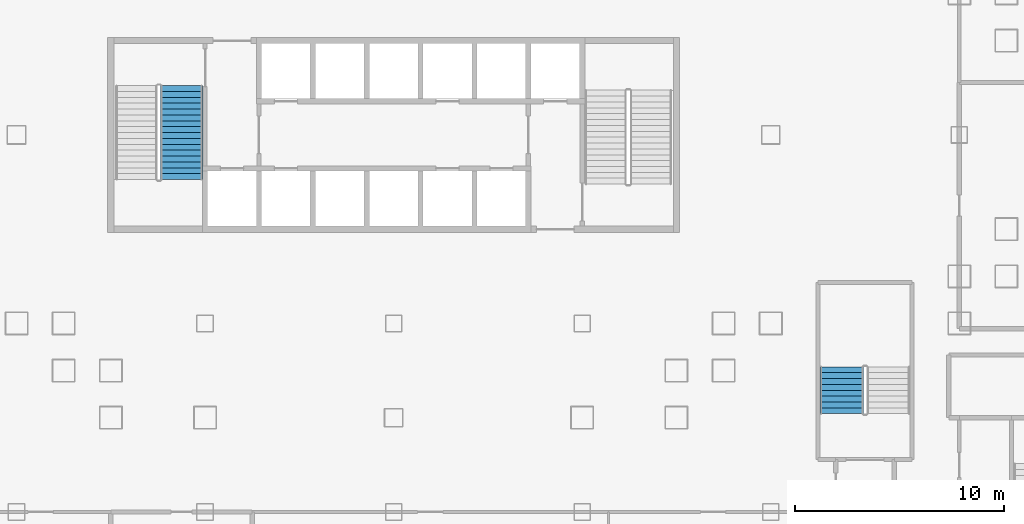
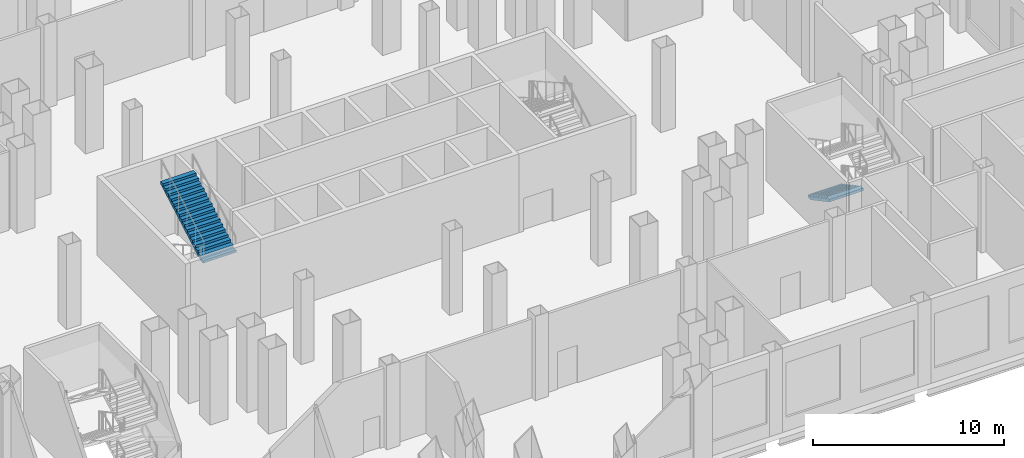
# One storey, part 11 of 26: 2 stair flights, 2 elements without a shape of their own.
"""IFC4 building model written with IfcOpenShell, lengths in metres."""

from ifc_helpers import new_model, si_unit, direction, frame, origin, place, context, subcontext, project, spatial, polygons, material, type_object, element, aggregate, save


model = new_model("IFC4")

# Units and contexts
model_context = context("Model", 3, precision=1e-05, world=origin(), true_north=direction((0.0, 1.0)))
body_context = subcontext(model_context, "Body", "Model", "MODEL_VIEW")
ifc_project = project(units=[si_unit("LENGTHUNIT", "METRE"), si_unit("AREAUNIT", "SQUARE_METRE"), si_unit("VOLUMEUNIT", "CUBIC_METRE"), si_unit("PLANEANGLEUNIT", "RADIAN"), si_unit("MASSUNIT", "GRAM", prefix="KILO")], contexts=[model_context])

# Site, building, storey
site_placement = place(None, origin())
site = spatial("IfcSite", under=ifc_project, at=site_placement, CompositionType="ELEMENT")
building_placement = place(site_placement, origin())
building = spatial("IfcBuilding", under=site, at=building_placement, Name="Caravel Reach Hotel and Residences", CompositionType="ELEMENT")
storey_placement = place(building_placement, frame((0.0, 0.0, 12.0)))
storey = spatial("IfcBuildingStorey", under=building, at=storey_placement, Name="L02", CompositionType="ELEMENT", Elevation=12.0)

# Stair, stair flight
ifc_material_1 = material(Name="Concrete C40", Category="concrete")
stair_type = type_object("IfcStairType", Name="Core stair", PredefinedType="HALF_TURN_STAIR", material=ifc_material_1)
stair_1_placement = place(storey_placement, origin())
stair_1 = element("IfcStair", 1, at=stair_1_placement, inside=storey, type_object=stair_type, Name="L02 Exit stair A", PredefinedType="HALF_TURN_STAIR")
ifc_material_2 = material(Name="Concrete C40", Category="concrete")
stair_flight_type = type_object("IfcStairFlightType", Name="Core stair flight", PredefinedType="STRAIGHT", material=ifc_material_2)
stair_flight_1_placement = place(storey_placement, frame((21.375, 24.8701171875, 2.699951171875), z_axis=(0.0, 0.0, 1.0), x_axis=(0.0, 1.0, 0.0)))
stair_flight_1 = element("IfcStairFlight", 2, at=stair_flight_1_placement, type_object=stair_flight_type, Name="ST-A flight 2", NumberOfRisers=17, NumberOfTreads=16, PredefinedType="STRAIGHT", RiserHeight=0.158823529, TreadLength=0.28, context=body_context, shape_type="Tessellation", body=[
    polygons([(0.30382651472380307, 1.0, 0.0), (0.30382651472380307, 0.6666666666666667, 0.0), (0.30382651472380307, 0.33333333333333337, 0.0), (0.30382651472380307, 0.0, 0.0), (0.30382651472380307, -0.33333333333333326, 0.0), (0.30382651472380307, -0.6666666666666667, 0.0), (0.30382651472380307, -1.0, 0.0), (4.481000000000001, 1.0, 2.3688378951706968), (4.481000000000001, 0.6666666666666667, 2.3688378951706968), (4.481000000000001, 0.33333333333333337, 2.3688378951706968), (4.481000000000001, 0.0, 2.3688378951706968), (4.481000000000001, -0.33333333333333326, 2.3688378951706968), (4.481000000000001, -0.6666666666666667, 2.3688378951706968), (4.481000000000001, -1.0, 2.3688378951706968), (4.481000000000001, 1.0, 2.541176464), (4.481000000000001, 0.6666666666666667, 2.541176464), (4.481000000000001, 0.33333333333333337, 2.541176464), (4.481000000000001, 0.0, 2.541176464), (4.481000000000001, -0.33333333333333326, 2.541176464), (4.481000000000001, -0.6666666666666667, 2.541176464), (4.481000000000001, -1.0, 2.541176464), (4.2, 1.0, 2.541176464), (4.2, 0.6666666666666667, 2.541176464), (4.2, 0.33333333333333337, 2.541176464), (4.2, 0.0, 2.541176464), (4.2, -0.33333333333333326, 2.541176464), (4.2, -0.6666666666666667, 2.541176464), (4.2, -1.0, 2.541176464), (4.2, 1.0, 2.3823529349999997), (4.2, 0.6666666666666667, 2.3823529349999997), (4.2, 0.33333333333333337, 2.3823529349999997), (4.2, 0.0, 2.3823529349999997), (4.2, -0.33333333333333326, 2.3823529349999997), (4.2, -0.6666666666666667, 2.3823529349999997), (4.2, -1.0, 2.3823529349999997), (3.9200000000000004, 1.0, 2.3823529349999997), (3.9200000000000004, 0.6666666666666667, 2.3823529349999997), (3.9200000000000004, 0.33333333333333337, 2.3823529349999997), (3.9200000000000004, 0.0, 2.3823529349999997), (3.9200000000000004, -0.33333333333333326, 2.3823529349999997), (3.9200000000000004, -0.6666666666666667, 2.3823529349999997), (3.9200000000000004, -1.0, 2.3823529349999997), (3.9200000000000004, 1.0, 2.223529406), (3.9200000000000004, 0.6666666666666667, 2.223529406), (3.9200000000000004, 0.33333333333333337, 2.223529406), (3.9200000000000004, 0.0, 2.223529406), (3.9200000000000004, -0.33333333333333326, 2.223529406), (3.9200000000000004, -0.6666666666666667, 2.223529406), (3.9200000000000004, -1.0, 2.223529406), (3.6400000000000006, 1.0, 2.223529406), (3.6400000000000006, 0.6666666666666667, 2.223529406), (3.6400000000000006, 0.33333333333333337, 2.223529406), (3.6400000000000006, 0.0, 2.223529406), (3.6400000000000006, -0.33333333333333326, 2.223529406), (3.6400000000000006, -0.6666666666666667, 2.223529406), (3.6400000000000006, -1.0, 2.223529406), (3.6400000000000006, 1.0, 2.0647058769999997), (3.6400000000000006, 0.6666666666666667, 2.0647058769999997), (3.6400000000000006, 0.33333333333333337, 2.0647058769999997), (3.6400000000000006, 0.0, 2.0647058769999997), (3.6400000000000006, -0.33333333333333326, 2.0647058769999997), (3.6400000000000006, -0.6666666666666667, 2.0647058769999997), (3.6400000000000006, -1.0, 2.0647058769999997), (3.3600000000000003, 1.0, 2.0647058769999997), (3.3600000000000003, 0.6666666666666667, 2.0647058769999997), (3.3600000000000003, 0.33333333333333337, 2.0647058769999997), (3.3600000000000003, 0.0, 2.0647058769999997), (3.3600000000000003, -0.33333333333333326, 2.0647058769999997), (3.3600000000000003, -0.6666666666666667, 2.0647058769999997), (3.3600000000000003, -1.0, 2.0647058769999997), (3.3600000000000003, 1.0, 1.905882348), (3.3600000000000003, 0.6666666666666667, 1.905882348), (3.3600000000000003, 0.33333333333333337, 1.905882348), (3.3600000000000003, 0.0, 1.905882348), (3.3600000000000003, -0.33333333333333326, 1.905882348), (3.3600000000000003, -0.6666666666666667, 1.905882348), (3.3600000000000003, -1.0, 1.905882348), (3.08, 1.0, 1.905882348), (3.08, 0.6666666666666667, 1.905882348), (3.08, 0.33333333333333337, 1.905882348), (3.08, 0.0, 1.905882348), (3.08, -0.33333333333333326, 1.905882348), (3.08, -0.6666666666666667, 1.905882348), (3.08, -1.0, 1.905882348), (3.08, 1.0, 1.7470588189999998), (3.08, 0.6666666666666667, 1.7470588189999998), (3.08, 0.33333333333333337, 1.7470588189999998), (3.08, 0.0, 1.7470588189999998), (3.08, -0.33333333333333326, 1.7470588189999998), (3.08, -0.6666666666666667, 1.7470588189999998), (3.08, -1.0, 1.7470588189999998), (2.8000000000000003, 1.0, 1.7470588189999998), (2.8000000000000003, 0.6666666666666667, 1.7470588189999998), (2.8000000000000003, 0.33333333333333337, 1.7470588189999998), (2.8000000000000003, 0.0, 1.7470588189999998), (2.8000000000000003, -0.33333333333333326, 1.7470588189999998), (2.8000000000000003, -0.6666666666666667, 1.7470588189999998), (2.8000000000000003, -1.0, 1.7470588189999998), (2.8000000000000003, 1.0, 1.5882352899999999), (2.8000000000000003, 0.6666666666666667, 1.5882352899999999), (2.8000000000000003, 0.33333333333333337, 1.5882352899999999), (2.8000000000000003, 0.0, 1.5882352899999999), (2.8000000000000003, -0.33333333333333326, 1.5882352899999999), (2.8000000000000003, -0.6666666666666667, 1.5882352899999999), (2.8000000000000003, -1.0, 1.5882352899999999), (2.5200000000000005, 1.0, 1.5882352899999999), (2.5200000000000005, 0.6666666666666667, 1.5882352899999999), (2.5200000000000005, 0.33333333333333337, 1.5882352899999999), (2.5200000000000005, 0.0, 1.5882352899999999), (2.5200000000000005, -0.33333333333333326, 1.5882352899999999), (2.5200000000000005, -0.6666666666666667, 1.5882352899999999), (2.5200000000000005, -1.0, 1.5882352899999999), (2.5200000000000005, 1.0, 1.429411761), (2.5200000000000005, 0.6666666666666667, 1.429411761), (2.5200000000000005, 0.33333333333333337, 1.429411761), (2.5200000000000005, 0.0, 1.429411761), (2.5200000000000005, -0.33333333333333326, 1.429411761), (2.5200000000000005, -0.6666666666666667, 1.429411761), (2.5200000000000005, -1.0, 1.429411761), (2.24, 1.0, 1.429411761), (2.24, 0.6666666666666667, 1.429411761), (2.24, 0.33333333333333337, 1.429411761), (2.24, 0.0, 1.429411761), (2.24, -0.33333333333333326, 1.429411761), (2.24, -0.6666666666666667, 1.429411761), (2.24, -1.0, 1.429411761), (2.24, 1.0, 1.270588232), (2.24, 0.6666666666666667, 1.270588232), (2.24, 0.33333333333333337, 1.270588232), (2.24, 0.0, 1.270588232), (2.24, -0.33333333333333326, 1.270588232), (2.24, -0.6666666666666667, 1.270588232), (2.24, -1.0, 1.270588232), (1.9600000000000002, 1.0, 1.270588232), (1.9600000000000002, 0.6666666666666667, 1.270588232), (1.9600000000000002, 0.33333333333333337, 1.270588232), (1.9600000000000002, 0.0, 1.270588232), (1.9600000000000002, -0.33333333333333326, 1.270588232), (1.9600000000000002, -0.6666666666666667, 1.270588232), (1.9600000000000002, -1.0, 1.270588232), (1.9600000000000002, 1.0, 1.111764703), (1.9600000000000002, 0.6666666666666667, 1.111764703), (1.9600000000000002, 0.33333333333333337, 1.111764703), (1.9600000000000002, 0.0, 1.111764703), (1.9600000000000002, -0.33333333333333326, 1.111764703), (1.9600000000000002, -0.6666666666666667, 1.111764703), (1.9600000000000002, -1.0, 1.111764703), (1.6800000000000002, 1.0, 1.111764703), (1.6800000000000002, 0.6666666666666667, 1.111764703), (1.6800000000000002, 0.33333333333333337, 1.111764703), (1.6800000000000002, 0.0, 1.111764703), (1.6800000000000002, -0.33333333333333326, 1.111764703), (1.6800000000000002, -0.6666666666666667, 1.111764703), (1.6800000000000002, -1.0, 1.111764703), (1.6800000000000002, 1.0, 0.952941174), (1.6800000000000002, 0.6666666666666667, 0.952941174), (1.6800000000000002, 0.33333333333333337, 0.952941174), (1.6800000000000002, 0.0, 0.952941174), (1.6800000000000002, -0.33333333333333326, 0.952941174), (1.6800000000000002, -0.6666666666666667, 0.952941174), (1.6800000000000002, -1.0, 0.952941174), (1.4000000000000001, 1.0, 0.952941174), (1.4000000000000001, 0.6666666666666667, 0.952941174), (1.4000000000000001, 0.33333333333333337, 0.952941174), (1.4000000000000001, 0.0, 0.952941174), (1.4000000000000001, -0.33333333333333326, 0.952941174), (1.4000000000000001, -0.6666666666666667, 0.952941174), (1.4000000000000001, -1.0, 0.952941174), (1.4000000000000001, 1.0, 0.7941176449999999), (1.4000000000000001, 0.6666666666666667, 0.7941176449999999), (1.4000000000000001, 0.33333333333333337, 0.7941176449999999), (1.4000000000000001, 0.0, 0.7941176449999999), (1.4000000000000001, -0.33333333333333326, 0.7941176449999999), (1.4000000000000001, -0.6666666666666667, 0.7941176449999999), (1.4000000000000001, -1.0, 0.7941176449999999), (1.12, 1.0, 0.7941176449999999), (1.12, 0.6666666666666667, 0.7941176449999999), (1.12, 0.33333333333333337, 0.7941176449999999), (1.12, 0.0, 0.7941176449999999), (1.12, -0.33333333333333326, 0.7941176449999999), (1.12, -0.6666666666666667, 0.7941176449999999), (1.12, -1.0, 0.7941176449999999), (1.12, 1.0, 0.635294116), (1.12, 0.6666666666666667, 0.635294116), (1.12, 0.33333333333333337, 0.635294116), (1.12, 0.0, 0.635294116), (1.12, -0.33333333333333326, 0.635294116), (1.12, -0.6666666666666667, 0.635294116), (1.12, -1.0, 0.635294116), (0.8400000000000001, 1.0, 0.635294116), (0.8400000000000001, 0.6666666666666667, 0.635294116), (0.8400000000000001, 0.33333333333333337, 0.635294116), (0.8400000000000001, 0.0, 0.635294116), (0.8400000000000001, -0.33333333333333326, 0.635294116), (0.8400000000000001, -0.6666666666666667, 0.635294116), (0.8400000000000001, -1.0, 0.635294116), (0.8400000000000001, 1.0, 0.476470587), (0.8400000000000001, 0.6666666666666667, 0.476470587), (0.8400000000000001, 0.33333333333333337, 0.476470587), (0.8400000000000001, 0.0, 0.476470587), (0.8400000000000001, -0.33333333333333326, 0.476470587), (0.8400000000000001, -0.6666666666666667, 0.476470587), (0.8400000000000001, -1.0, 0.476470587), (0.56, 1.0, 0.476470587), (0.56, 0.6666666666666667, 0.476470587), (0.56, 0.33333333333333337, 0.476470587), (0.56, 0.0, 0.476470587), (0.56, -0.33333333333333326, 0.476470587), (0.56, -0.6666666666666667, 0.476470587), (0.56, -1.0, 0.476470587), (0.56, 1.0, 0.317647058), (0.56, 0.6666666666666667, 0.317647058), (0.56, 0.33333333333333337, 0.317647058), (0.56, 0.0, 0.317647058), (0.56, -0.33333333333333326, 0.317647058), (0.56, -0.6666666666666667, 0.317647058), (0.56, -1.0, 0.317647058), (0.28, 1.0, 0.317647058), (0.28, 0.6666666666666667, 0.317647058), (0.28, 0.33333333333333337, 0.317647058), (0.28, 0.0, 0.317647058), (0.28, -0.33333333333333326, 0.317647058), (0.28, -0.6666666666666667, 0.317647058), (0.28, -1.0, 0.317647058), (0.28, 1.0, 0.158823529), (0.28, 0.6666666666666667, 0.158823529), (0.28, 0.33333333333333337, 0.158823529), (0.28, 0.0, 0.158823529), (0.28, -0.33333333333333326, 0.158823529), (0.28, -0.6666666666666667, 0.158823529), (0.28, -1.0, 0.158823529), (-0.001, 1.0, 0.158823529), (-0.001, 0.6666666666666667, 0.158823529), (-0.001, 0.33333333333333337, 0.158823529), (-0.001, 0.0, 0.158823529), (-0.001, -0.33333333333333326, 0.158823529), (-0.001, -0.6666666666666667, 0.158823529), (-0.001, -1.0, 0.158823529), (-0.001, 1.0, 0.0), (-0.001, 0.6666666666666667, 0.0), (-0.001, 0.33333333333333337, 0.0), (-0.001, 0.0, 0.0), (-0.001, -0.33333333333333326, 0.0), (-0.001, -0.6666666666666667, 0.0), (-0.001, -1.0, 0.0)], [[[239, 232, 225, 218, 211, 204, 197, 190, 183, 176, 169, 162, 155, 148, 141, 134, 127, 120, 113, 106, 99, 92, 85, 78, 71, 64, 57, 50, 43, 36, 29, 22, 15, 8, 1]], [[7, 14, 21, 28, 35, 42, 49, 56, 63, 70, 77, 84, 91, 98, 105, 112, 119, 126, 133, 140, 147, 154, 161, 168, 175, 182, 189, 196, 203, 210, 217, 224, 231, 238, 245]], [[1, 8, 9, 2]], [[2, 9, 10, 3]], [[3, 10, 11, 4]], [[4, 11, 12, 5]], [[5, 12, 13, 6]], [[6, 13, 14, 7]], [[8, 15, 16, 9]], [[9, 16, 17, 10]], [[10, 17, 18, 11]], [[11, 18, 19, 12]], [[12, 19, 20, 13]], [[13, 20, 21, 14]], [[15, 22, 23, 16]], [[16, 23, 24, 17]], [[17, 24, 25, 18]], [[18, 25, 26, 19]], [[19, 26, 27, 20]], [[20, 27, 28, 21]], [[22, 29, 30, 23]], [[23, 30, 31, 24]], [[24, 31, 32, 25]], [[25, 32, 33, 26]], [[26, 33, 34, 27]], [[27, 34, 35, 28]], [[29, 36, 37, 30]], [[30, 37, 38, 31]], [[31, 38, 39, 32]], [[32, 39, 40, 33]], [[33, 40, 41, 34]], [[34, 41, 42, 35]], [[36, 43, 44, 37]], [[37, 44, 45, 38]], [[38, 45, 46, 39]], [[39, 46, 47, 40]], [[40, 47, 48, 41]], [[41, 48, 49, 42]], [[43, 50, 51, 44]], [[44, 51, 52, 45]], [[45, 52, 53, 46]], [[46, 53, 54, 47]], [[47, 54, 55, 48]], [[48, 55, 56, 49]], [[50, 57, 58, 51]], [[51, 58, 59, 52]], [[52, 59, 60, 53]], [[53, 60, 61, 54]], [[54, 61, 62, 55]], [[55, 62, 63, 56]], [[57, 64, 65, 58]], [[58, 65, 66, 59]], [[59, 66, 67, 60]], [[60, 67, 68, 61]], [[61, 68, 69, 62]], [[62, 69, 70, 63]], [[64, 71, 72, 65]], [[65, 72, 73, 66]], [[66, 73, 74, 67]], [[67, 74, 75, 68]], [[68, 75, 76, 69]], [[69, 76, 77, 70]], [[71, 78, 79, 72]], [[72, 79, 80, 73]], [[73, 80, 81, 74]], [[74, 81, 82, 75]], [[75, 82, 83, 76]], [[76, 83, 84, 77]], [[78, 85, 86, 79]], [[79, 86, 87, 80]], [[80, 87, 88, 81]], [[81, 88, 89, 82]], [[82, 89, 90, 83]], [[83, 90, 91, 84]], [[85, 92, 93, 86]], [[86, 93, 94, 87]], [[87, 94, 95, 88]], [[88, 95, 96, 89]], [[89, 96, 97, 90]], [[90, 97, 98, 91]], [[92, 99, 100, 93]], [[93, 100, 101, 94]], [[94, 101, 102, 95]], [[95, 102, 103, 96]], [[96, 103, 104, 97]], [[97, 104, 105, 98]], [[99, 106, 107, 100]], [[100, 107, 108, 101]], [[101, 108, 109, 102]], [[102, 109, 110, 103]], [[103, 110, 111, 104]], [[104, 111, 112, 105]], [[106, 113, 114, 107]], [[107, 114, 115, 108]], [[108, 115, 116, 109]], [[109, 116, 117, 110]], [[110, 117, 118, 111]], [[111, 118, 119, 112]], [[113, 120, 121, 114]], [[114, 121, 122, 115]], [[115, 122, 123, 116]], [[116, 123, 124, 117]], [[117, 124, 125, 118]], [[118, 125, 126, 119]], [[120, 127, 128, 121]], [[121, 128, 129, 122]], [[122, 129, 130, 123]], [[123, 130, 131, 124]], [[124, 131, 132, 125]], [[125, 132, 133, 126]], [[127, 134, 135, 128]], [[128, 135, 136, 129]], [[129, 136, 137, 130]], [[130, 137, 138, 131]], [[131, 138, 139, 132]], [[132, 139, 140, 133]], [[134, 141, 142, 135]], [[135, 142, 143, 136]], [[136, 143, 144, 137]], [[137, 144, 145, 138]], [[138, 145, 146, 139]], [[139, 146, 147, 140]], [[141, 148, 149, 142]], [[142, 149, 150, 143]], [[143, 150, 151, 144]], [[144, 151, 152, 145]], [[145, 152, 153, 146]], [[146, 153, 154, 147]], [[148, 155, 156, 149]], [[149, 156, 157, 150]], [[150, 157, 158, 151]], [[151, 158, 159, 152]], [[152, 159, 160, 153]], [[153, 160, 161, 154]], [[155, 162, 163, 156]], [[156, 163, 164, 157]], [[157, 164, 165, 158]], [[158, 165, 166, 159]], [[159, 166, 167, 160]], [[160, 167, 168, 161]], [[162, 169, 170, 163]], [[163, 170, 171, 164]], [[164, 171, 172, 165]], [[165, 172, 173, 166]], [[166, 173, 174, 167]], [[167, 174, 175, 168]], [[169, 176, 177, 170]], [[170, 177, 178, 171]], [[171, 178, 179, 172]], [[172, 179, 180, 173]], [[173, 180, 181, 174]], [[174, 181, 182, 175]], [[176, 183, 184, 177]], [[177, 184, 185, 178]], [[178, 185, 186, 179]], [[179, 186, 187, 180]], [[180, 187, 188, 181]], [[181, 188, 189, 182]], [[183, 190, 191, 184]], [[184, 191, 192, 185]], [[185, 192, 193, 186]], [[186, 193, 194, 187]], [[187, 194, 195, 188]], [[188, 195, 196, 189]], [[190, 197, 198, 191]], [[191, 198, 199, 192]], [[192, 199, 200, 193]], [[193, 200, 201, 194]], [[194, 201, 202, 195]], [[195, 202, 203, 196]], [[197, 204, 205, 198]], [[198, 205, 206, 199]], [[199, 206, 207, 200]], [[200, 207, 208, 201]], [[201, 208, 209, 202]], [[202, 209, 210, 203]], [[204, 211, 212, 205]], [[205, 212, 213, 206]], [[206, 213, 214, 207]], [[207, 214, 215, 208]], [[208, 215, 216, 209]], [[209, 216, 217, 210]], [[211, 218, 219, 212]], [[212, 219, 220, 213]], [[213, 220, 221, 214]], [[214, 221, 222, 215]], [[215, 222, 223, 216]], [[216, 223, 224, 217]], [[218, 225, 226, 219]], [[219, 226, 227, 220]], [[220, 227, 228, 221]], [[221, 228, 229, 222]], [[222, 229, 230, 223]], [[223, 230, 231, 224]], [[225, 232, 233, 226]], [[226, 233, 234, 227]], [[227, 234, 235, 228]], [[228, 235, 236, 229]], [[229, 236, 237, 230]], [[230, 237, 238, 231]], [[232, 239, 240, 233]], [[233, 240, 241, 234]], [[234, 241, 242, 235]], [[235, 242, 243, 236]], [[236, 243, 244, 237]], [[237, 244, 245, 238]], [[239, 1, 2, 240]], [[240, 2, 3, 241]], [[241, 3, 4, 242]], [[242, 4, 5, 243]], [[243, 5, 6, 244]], [[244, 6, 7, 245]]], closed=True),
])
aggregate(stair_1, [stair_flight_1])

stair_2_placement = place(storey_placement, origin())
stair_2 = element("IfcStair", 3, at=stair_2_placement, inside=storey, type_object=stair_type, Name="L02 Exit stair P4", PredefinedType="HALF_TURN_STAIR")
stair_flight_2_placement = place(storey_placement, frame((52.889892578125, 15.929931640625, 1.35009765625), z_axis=(0.0, 0.0, 1.0), x_axis=(0.0, -1.0, 0.0)))
stair_flight_2 = element("IfcStairFlight", 4, at=stair_flight_2_placement, type_object=stair_flight_type, Name="ST-P4 flight 2", NumberOfRisers=9, NumberOfTreads=8, PredefinedType="STRAIGHT", RiserHeight=0.15, TreadLength=0.28, context=body_context, shape_type="Tessellation", body=[
    polygons([(0.3174408016601864, 1.0350341796875, 0.0), (0.3174408016601864, 0.6900227864583333, 0.0), (0.3174408016601864, 0.34501139322916663, 0.0), (0.3174408016601864, 0.0, 0.0), (0.3174408016601864, -0.34501139322916674, 0.0), (0.3174408016601864, -0.6900227864583333, 0.0), (0.3174408016601864, -1.0350341796875, 0.0), (2.241, 1.0350341796875, 1.029942427682043), (2.241, 0.6900227864583333, 1.029942427682043), (2.241, 0.34501139322916663, 1.029942427682043), (2.241, 0.0, 1.029942427682043), (2.241, -0.34501139322916674, 1.029942427682043), (2.241, -0.6900227864583333, 1.029942427682043), (2.241, -1.0350341796875, 1.029942427682043), (2.241, 1.0350341796875, 1.2), (2.241, 0.6900227864583333, 1.2), (2.241, 0.34501139322916663, 1.2), (2.241, 0.0, 1.2), (2.241, -0.34501139322916674, 1.2), (2.241, -0.6900227864583333, 1.2), (2.241, -1.0350341796875, 1.2), (1.9600000000000002, 1.0350341796875, 1.2), (1.9600000000000002, 0.6900227864583333, 1.2), (1.9600000000000002, 0.34501139322916663, 1.2), (1.9600000000000002, 0.0, 1.2), (1.9600000000000002, -0.34501139322916674, 1.2), (1.9600000000000002, -0.6900227864583333, 1.2), (1.9600000000000002, -1.0350341796875, 1.2), (1.9600000000000002, 1.0350341796875, 1.05), (1.9600000000000002, 0.6900227864583333, 1.05), (1.9600000000000002, 0.34501139322916663, 1.05), (1.9600000000000002, 0.0, 1.05), (1.9600000000000002, -0.34501139322916674, 1.05), (1.9600000000000002, -0.6900227864583333, 1.05), (1.9600000000000002, -1.0350341796875, 1.05), (1.6800000000000002, 1.0350341796875, 1.05), (1.6800000000000002, 0.6900227864583333, 1.05), (1.6800000000000002, 0.34501139322916663, 1.05), (1.6800000000000002, 0.0, 1.05), (1.6800000000000002, -0.34501139322916674, 1.05), (1.6800000000000002, -0.6900227864583333, 1.05), (1.6800000000000002, -1.0350341796875, 1.05), (1.6800000000000002, 1.0350341796875, 0.8999999999999999), (1.6800000000000002, 0.6900227864583333, 0.8999999999999999), (1.6800000000000002, 0.34501139322916663, 0.8999999999999999), (1.6800000000000002, 0.0, 0.8999999999999999), (1.6800000000000002, -0.34501139322916674, 0.8999999999999999), (1.6800000000000002, -0.6900227864583333, 0.8999999999999999), (1.6800000000000002, -1.0350341796875, 0.8999999999999999), (1.4000000000000001, 1.0350341796875, 0.8999999999999999), (1.4000000000000001, 0.6900227864583333, 0.8999999999999999), (1.4000000000000001, 0.34501139322916663, 0.8999999999999999), (1.4000000000000001, 0.0, 0.8999999999999999), (1.4000000000000001, -0.34501139322916674, 0.8999999999999999), (1.4000000000000001, -0.6900227864583333, 0.8999999999999999), (1.4000000000000001, -1.0350341796875, 0.8999999999999999), (1.4000000000000001, 1.0350341796875, 0.75), (1.4000000000000001, 0.6900227864583333, 0.75), (1.4000000000000001, 0.34501139322916663, 0.75), (1.4000000000000001, 0.0, 0.75), (1.4000000000000001, -0.34501139322916674, 0.75), (1.4000000000000001, -0.6900227864583333, 0.75), (1.4000000000000001, -1.0350341796875, 0.75), (1.12, 1.0350341796875, 0.75), (1.12, 0.6900227864583333, 0.75), (1.12, 0.34501139322916663, 0.75), (1.12, 0.0, 0.75), (1.12, -0.34501139322916674, 0.75), (1.12, -0.6900227864583333, 0.75), (1.12, -1.0350341796875, 0.75), (1.12, 1.0350341796875, 0.6), (1.12, 0.6900227864583333, 0.6), (1.12, 0.34501139322916663, 0.6), (1.12, 0.0, 0.6), (1.12, -0.34501139322916674, 0.6), (1.12, -0.6900227864583333, 0.6), (1.12, -1.0350341796875, 0.6), (0.8400000000000001, 1.0350341796875, 0.6), (0.8400000000000001, 0.6900227864583333, 0.6), (0.8400000000000001, 0.34501139322916663, 0.6), (0.8400000000000001, 0.0, 0.6), (0.8400000000000001, -0.34501139322916674, 0.6), (0.8400000000000001, -0.6900227864583333, 0.6), (0.8400000000000001, -1.0350341796875, 0.6), (0.8400000000000001, 1.0350341796875, 0.44999999999999996), (0.8400000000000001, 0.6900227864583333, 0.44999999999999996), (0.8400000000000001, 0.34501139322916663, 0.44999999999999996), (0.8400000000000001, 0.0, 0.44999999999999996), (0.8400000000000001, -0.34501139322916674, 0.44999999999999996), (0.8400000000000001, -0.6900227864583333, 0.44999999999999996), (0.8400000000000001, -1.0350341796875, 0.44999999999999996), (0.56, 1.0350341796875, 0.44999999999999996), (0.56, 0.6900227864583333, 0.44999999999999996), (0.56, 0.34501139322916663, 0.44999999999999996), (0.56, 0.0, 0.44999999999999996), (0.56, -0.34501139322916674, 0.44999999999999996), (0.56, -0.6900227864583333, 0.44999999999999996), (0.56, -1.0350341796875, 0.44999999999999996), (0.56, 1.0350341796875, 0.3), (0.56, 0.6900227864583333, 0.3), (0.56, 0.34501139322916663, 0.3), (0.56, 0.0, 0.3), (0.56, -0.34501139322916674, 0.3), (0.56, -0.6900227864583333, 0.3), (0.56, -1.0350341796875, 0.3), (0.28, 1.0350341796875, 0.3), (0.28, 0.6900227864583333, 0.3), (0.28, 0.34501139322916663, 0.3), (0.28, 0.0, 0.3), (0.28, -0.34501139322916674, 0.3), (0.28, -0.6900227864583333, 0.3), (0.28, -1.0350341796875, 0.3), (0.28, 1.0350341796875, 0.15), (0.28, 0.6900227864583333, 0.15), (0.28, 0.34501139322916663, 0.15), (0.28, 0.0, 0.15), (0.28, -0.34501139322916674, 0.15), (0.28, -0.6900227864583333, 0.15), (0.28, -1.0350341796875, 0.15), (-0.001, 1.0350341796875, 0.15), (-0.001, 0.6900227864583333, 0.15), (-0.001, 0.34501139322916663, 0.15), (-0.001, 0.0, 0.15), (-0.001, -0.34501139322916674, 0.15), (-0.001, -0.6900227864583333, 0.15), (-0.001, -1.0350341796875, 0.15), (-0.001, 1.0350341796875, 0.0), (-0.001, 0.6900227864583333, 0.0), (-0.001, 0.34501139322916663, 0.0), (-0.001, 0.0, 0.0), (-0.001, -0.34501139322916674, 0.0), (-0.001, -0.6900227864583333, 0.0), (-0.001, -1.0350341796875, 0.0)], [[[127, 120, 113, 106, 99, 92, 85, 78, 71, 64, 57, 50, 43, 36, 29, 22, 15, 8, 1]], [[7, 14, 21, 28, 35, 42, 49, 56, 63, 70, 77, 84, 91, 98, 105, 112, 119, 126, 133]], [[1, 8, 9, 2]], [[2, 9, 10, 3]], [[3, 10, 11, 4]], [[4, 11, 12, 5]], [[5, 12, 13, 6]], [[6, 13, 14, 7]], [[8, 15, 16, 9]], [[9, 16, 17, 10]], [[10, 17, 18, 11]], [[11, 18, 19, 12]], [[12, 19, 20, 13]], [[13, 20, 21, 14]], [[15, 22, 23, 16]], [[16, 23, 24, 17]], [[17, 24, 25, 18]], [[18, 25, 26, 19]], [[19, 26, 27, 20]], [[20, 27, 28, 21]], [[22, 29, 30, 23]], [[23, 30, 31, 24]], [[24, 31, 32, 25]], [[25, 32, 33, 26]], [[26, 33, 34, 27]], [[27, 34, 35, 28]], [[29, 36, 37, 30]], [[30, 37, 38, 31]], [[31, 38, 39, 32]], [[32, 39, 40, 33]], [[33, 40, 41, 34]], [[34, 41, 42, 35]], [[36, 43, 44, 37]], [[37, 44, 45, 38]], [[38, 45, 46, 39]], [[39, 46, 47, 40]], [[40, 47, 48, 41]], [[41, 48, 49, 42]], [[43, 50, 51, 44]], [[44, 51, 52, 45]], [[45, 52, 53, 46]], [[46, 53, 54, 47]], [[47, 54, 55, 48]], [[48, 55, 56, 49]], [[50, 57, 58, 51]], [[51, 58, 59, 52]], [[52, 59, 60, 53]], [[53, 60, 61, 54]], [[54, 61, 62, 55]], [[55, 62, 63, 56]], [[57, 64, 65, 58]], [[58, 65, 66, 59]], [[59, 66, 67, 60]], [[60, 67, 68, 61]], [[61, 68, 69, 62]], [[62, 69, 70, 63]], [[64, 71, 72, 65]], [[65, 72, 73, 66]], [[66, 73, 74, 67]], [[67, 74, 75, 68]], [[68, 75, 76, 69]], [[69, 76, 77, 70]], [[71, 78, 79, 72]], [[72, 79, 80, 73]], [[73, 80, 81, 74]], [[74, 81, 82, 75]], [[75, 82, 83, 76]], [[76, 83, 84, 77]], [[78, 85, 86, 79]], [[79, 86, 87, 80]], [[80, 87, 88, 81]], [[81, 88, 89, 82]], [[82, 89, 90, 83]], [[83, 90, 91, 84]], [[85, 92, 93, 86]], [[86, 93, 94, 87]], [[87, 94, 95, 88]], [[88, 95, 96, 89]], [[89, 96, 97, 90]], [[90, 97, 98, 91]], [[92, 99, 100, 93]], [[93, 100, 101, 94]], [[94, 101, 102, 95]], [[95, 102, 103, 96]], [[96, 103, 104, 97]], [[97, 104, 105, 98]], [[99, 106, 107, 100]], [[100, 107, 108, 101]], [[101, 108, 109, 102]], [[102, 109, 110, 103]], [[103, 110, 111, 104]], [[104, 111, 112, 105]], [[106, 113, 114, 107]], [[107, 114, 115, 108]], [[108, 115, 116, 109]], [[109, 116, 117, 110]], [[110, 117, 118, 111]], [[111, 118, 119, 112]], [[113, 120, 121, 114]], [[114, 121, 122, 115]], [[115, 122, 123, 116]], [[116, 123, 124, 117]], [[117, 124, 125, 118]], [[118, 125, 126, 119]], [[120, 127, 128, 121]], [[121, 128, 129, 122]], [[122, 129, 130, 123]], [[123, 130, 131, 124]], [[124, 131, 132, 125]], [[125, 132, 133, 126]], [[127, 1, 2, 128]], [[128, 2, 3, 129]], [[129, 3, 4, 130]], [[130, 4, 5, 131]], [[131, 5, 6, 132]], [[132, 6, 7, 133]]], closed=True),
])
aggregate(stair_2, [stair_flight_2])

save(model, "model.ifc")
